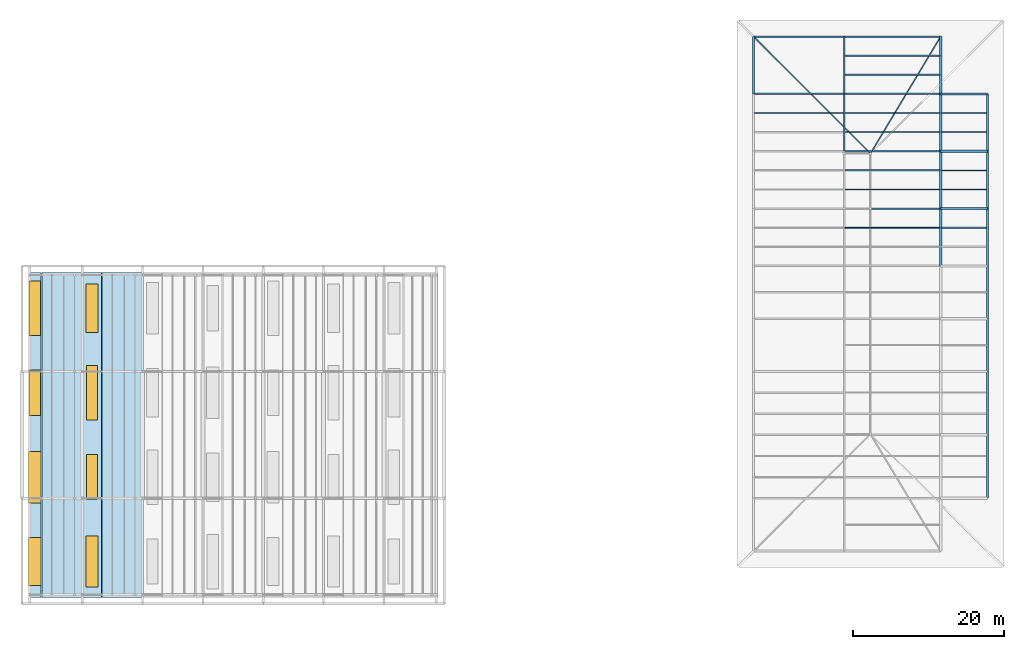
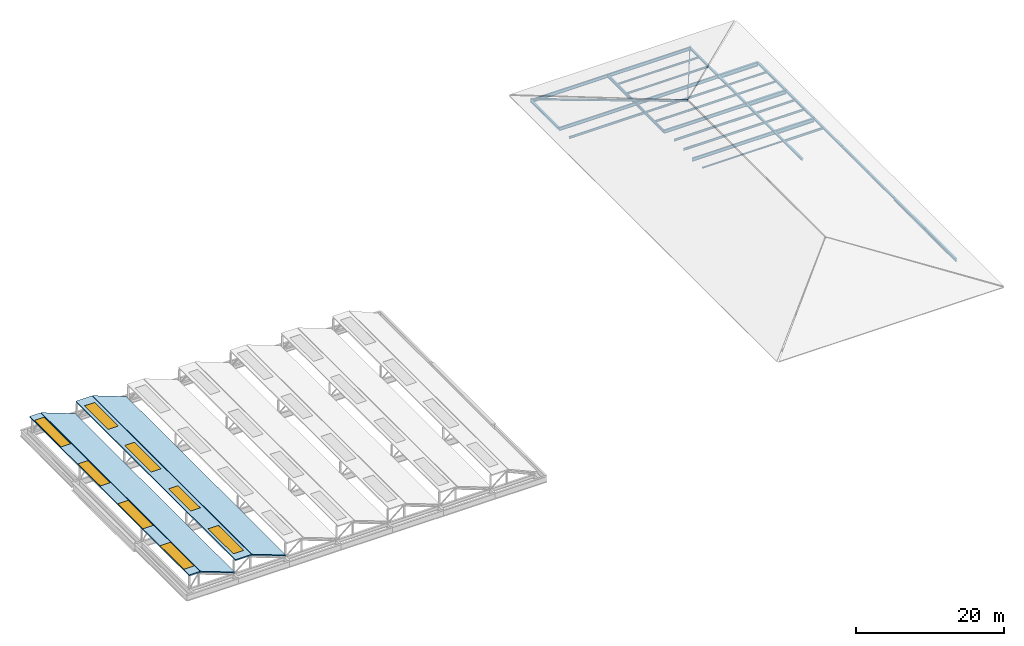
# One storey, part 11 of 14: 36 beams, 8 windows, 4 slabs, 2 members, 8 openings.
"""IFC4 building model written with IfcOpenShell, lengths in metres."""

from ifc_helpers import new_model, si_unit, direction, frame, origin, origin_2d, place, context, subcontext, project, spatial, polyline, rectangle, i_section, outline, extrude, material, layer, layer_set, material_profile, profile_set, type_object, element, fill, save


model = new_model("IFC4")

# Units and contexts
model_context = context("Model", 3, precision=1e-05, world=origin(), true_north=direction((0.0, 1.0)))
body_context = subcontext(model_context, "Body", "Model", "MODEL_VIEW")
ifc_project = project(units=[si_unit("LENGTHUNIT", "METRE"), si_unit("AREAUNIT", "SQUARE_METRE"), si_unit("VOLUMEUNIT", "CUBIC_METRE"), si_unit("PLANEANGLEUNIT", "RADIAN"), si_unit("MASSUNIT", "GRAM", prefix="KILO")], contexts=[model_context])

# Site, building, storey
site_placement = place(None, origin())
site = spatial("IfcSite", under=ifc_project, at=site_placement, CompositionType="ELEMENT")
building_placement = place(site_placement, origin())
building = spatial("IfcBuilding", under=site, at=building_placement, Name="Vekula Escarpment Museum", CompositionType="ELEMENT")
storey_placement = place(building_placement, frame((0.0, 0.0, 30.60009765625)))
storey = spatial("IfcBuildingStorey", under=building, at=storey_placement, Name="RF", CompositionType="ELEMENT", Elevation=30.60009765625)

# Beams
ifc_material_1 = material(Name="Steel S355", Category="steel")
ifc_material_profile_1 = material_profile(ifc_material_1, i_section(OverallWidth=0.300048828125, OverallDepth=0.64990234375, WebThickness=0.01611328125, FlangeThickness=0.031005859375, FilletRadius=0.027099609375, at=origin_2d()), Name="HEB 650")
ifc_profile_set_1 = profile_set([ifc_material_profile_1], Name="Steel S355")
beam_type_1 = type_object("IfcBeamType", Name="BM-GIRD-HEB650", PredefinedType="BEAM", material=ifc_profile_set_1)
for number, where, z_axis, x_axis, name in (
    (1, (191.800048828125, 98.0, -0.525146484375), (1.0, 0.0, 0.0), (0.0, 1.0, 0.0), "Beam X RF 2320"),
    (2, (191.800048828125, 105.60009765625, -0.525146484375), (1.0, 0.0, 0.0), (0.0, 1.0, 0.0), "Beam X RF 2323"),
    (3, (191.800048828125, 113.199951171875, -0.525146484375), (1.0, 0.0, 0.0), (0.0, 1.0, 0.0), "Beam X RF 2326"),
):
    element("IfcBeam", number, at=place(storey_placement, frame(where, z_axis=z_axis, x_axis=x_axis)), inside=storey, type_object=beam_type_1, Name=name, PredefinedType="BEAM", context=body_context, shape_type="SweptSolid", body=[
        extrude(i_section(OverallWidth=0.300048828125, OverallDepth=0.64990234375, WebThickness=0.01611328125, FlangeThickness=0.031005859375, FilletRadius=0.027099609375, at=origin_2d()), origin(), (0.0, 0.0, 1.0), 6.199951171875),
    ])
ifc_material_2 = material(Name="Steel S355", Category="steel")
ifc_material_profile_2 = material_profile(ifc_material_2, i_section(OverallWidth=0.199951171875, OverallDepth=0.5, WebThickness=0.01025390625, FlangeThickness=0.01611328125, FilletRadius=0.02099609375, at=origin_2d()), Name="IPE 500")
ifc_profile_set_2 = profile_set([ifc_material_profile_2], Name="Steel S355")
beam_type_2 = type_object("IfcBeamType", Name="BM-GIRD-IPE500", PredefinedType="BEAM", material=ifc_profile_set_2)
beam_1_placement = place(storey_placement, frame((179.0, 105.60009765625, -0.4501953125), z_axis=(0.0, 1.0, 0.0), x_axis=(-1.0, 0.0, 0.0)))
element("IfcBeam", 4, at=beam_1_placement, inside=storey, type_object=beam_type_2, Name="Beam Y RF 2345", PredefinedType="BEAM", context=body_context, shape_type="SweptSolid", body=[
    extrude(i_section(OverallWidth=0.199951171875, OverallDepth=0.5, WebThickness=0.01025390625, FlangeThickness=0.01611328125, FilletRadius=0.02099609375, at=origin_2d()), origin(), (0.0, 0.0, 1.0), 7.599853515625),
])
beam_2_placement = place(storey_placement, frame((179.0, 113.199951171875, -0.4501953125), z_axis=(0.0, 1.0, 0.0), x_axis=(-1.0, 0.0, 0.0)))
element("IfcBeam", 5, at=beam_2_placement, inside=storey, type_object=beam_type_2, Name="Beam Y RF 2346", PredefinedType="BEAM", context=body_context, shape_type="SweptSolid", body=[
    extrude(i_section(OverallWidth=0.199951171875, OverallDepth=0.5, WebThickness=0.01025390625, FlangeThickness=0.01611328125, FilletRadius=0.02099609375, at=origin_2d()), origin(), (0.0, 0.0, 1.0), 7.60009765625),
])
ifc_material_3 = material(Name="Steel S355", Category="steel")
ifc_material_profile_3 = material_profile(ifc_material_3, i_section(OverallWidth=0.2099609375, OverallDepth=0.550048828125, WebThickness=0.010986328125, FlangeThickness=0.01708984375, FilletRadius=0.02392578125, at=origin_2d()), Name="IPE 550")
ifc_profile_set_3 = profile_set([ifc_material_profile_3], Name="Steel S355")
beam_type_3 = type_object("IfcBeamType", Name="BM-GIRD-IPE550", PredefinedType="BEAM", material=ifc_profile_set_3)
for number, where, z_axis, x_axis, name in (
    (6, (179.0, 98.0, -0.47509765625), (1.0, 0.0, 0.0), (0.0, 1.0, 0.0), "Beam X RF 2319"),
    (7, (179.0, 105.60009765625, -0.47509765625), (1.0, 0.0, 0.0), (0.0, 1.0, 0.0), "Beam X RF 2322"),
):
    element("IfcBeam", number, at=place(storey_placement, frame(where, z_axis=z_axis, x_axis=x_axis)), inside=storey, type_object=beam_type_3, Name=name, PredefinedType="BEAM", context=body_context, shape_type="SweptSolid", body=[
        extrude(i_section(OverallWidth=0.2099609375, OverallDepth=0.550048828125, WebThickness=0.010986328125, FlangeThickness=0.01708984375, FilletRadius=0.02392578125, at=origin_2d()), origin(), (0.0, 0.0, 1.0), 12.800048828125),
    ])
beam_3_placement = place(storey_placement, frame((167.0, 113.199951171875, -0.47509765625), z_axis=(1.0, 0.0, 0.0), x_axis=(0.0, 1.0, 0.0)))
element("IfcBeam", 8, at=beam_3_placement, inside=storey, type_object=beam_type_3, Name="Beam X RF 2324", PredefinedType="BEAM", context=body_context, shape_type="SweptSolid", body=[
    extrude(i_section(OverallWidth=0.2099609375, OverallDepth=0.550048828125, WebThickness=0.010986328125, FlangeThickness=0.01708984375, FilletRadius=0.02392578125, at=origin_2d()), origin(), (0.0, 0.0, 1.0), 12.0),
])
beam_4_placement = place(storey_placement, frame((179.0, 113.199951171875, -0.47509765625), z_axis=(1.0, 0.0, 0.0), x_axis=(0.0, 1.0, 0.0)))
element("IfcBeam", 9, at=beam_4_placement, inside=storey, type_object=beam_type_3, Name="Beam X RF 2325", PredefinedType="BEAM", context=body_context, shape_type="SweptSolid", body=[
    extrude(i_section(OverallWidth=0.2099609375, OverallDepth=0.550048828125, WebThickness=0.010986328125, FlangeThickness=0.01708984375, FilletRadius=0.02392578125, at=origin_2d()), origin(), (0.0, 0.0, 1.0), 12.800048828125),
])
beam_5_placement = place(storey_placement, frame((167.0, 120.800048828125, -0.47509765625), z_axis=(1.0, 0.0, 0.0), x_axis=(0.0, 1.0, 0.0)))
element("IfcBeam", 10, at=beam_5_placement, inside=storey, type_object=beam_type_3, Name="Beam X RF 2327", PredefinedType="BEAM", context=body_context, shape_type="SweptSolid", body=[
    extrude(i_section(OverallWidth=0.2099609375, OverallDepth=0.550048828125, WebThickness=0.010986328125, FlangeThickness=0.01708984375, FilletRadius=0.02392578125, at=origin_2d()), origin(), (0.0, 0.0, 1.0), 12.0),
])
beam_6_placement = place(storey_placement, frame((179.0, 120.800048828125, -0.47509765625), z_axis=(1.0, 0.0, 0.0), x_axis=(0.0, 1.0, 0.0)))
element("IfcBeam", 11, at=beam_6_placement, inside=storey, type_object=beam_type_3, Name="Beam X RF 2328", PredefinedType="BEAM", context=body_context, shape_type="SweptSolid", body=[
    extrude(i_section(OverallWidth=0.2099609375, OverallDepth=0.550048828125, WebThickness=0.010986328125, FlangeThickness=0.01708984375, FilletRadius=0.02392578125, at=origin_2d()), origin(), (0.0, 0.0, 1.0), 12.800048828125),
])
ifc_material_4 = material(Name="Steel S355", Category="steel")
ifc_material_profile_4 = material_profile(ifc_material_4, i_section(OverallWidth=0.1201171875, OverallDepth=0.239990234375, WebThickness=0.006103515625, FlangeThickness=0.009765625, FilletRadius=0.014892578125, at=origin_2d()), Name="IPE 240")
ifc_profile_set_4 = profile_set([ifc_material_profile_4], Name="Steel S355")
beam_type_4 = type_object("IfcBeamType", Name="BM-JST-IPE240", PredefinedType="JOIST", material=ifc_profile_set_4)
beam_7_placement = place(storey_placement, frame((179.090087890625, 95.466796875, -0.320068359375), z_axis=(1.0, 0.0, 0.0), x_axis=(0.0, 1.0, 0.0)))
element("IfcBeam", 12, at=beam_7_placement, inside=storey, type_object=beam_type_4, Name="Secondary Joist RF 1509", PredefinedType="JOIST", context=body_context, shape_type="SweptSolid", body=[
    extrude(i_section(OverallWidth=0.1201171875, OverallDepth=0.239990234375, WebThickness=0.006103515625, FlangeThickness=0.009765625, FilletRadius=0.014892578125, at=origin_2d()), origin(), (0.0, 0.0, 1.0), 12.619873046875),
])
ifc_material_5 = material(Name="Steel S355", Category="steel")
ifc_material_profile_5 = material_profile(ifc_material_5, i_section(OverallWidth=0.14990234375, OverallDepth=0.300048828125, WebThickness=0.007080078125, FlangeThickness=0.0107421875, FilletRadius=0.014892578125, at=origin_2d()), Name="IPE 300")
ifc_profile_set_5 = profile_set([ifc_material_profile_5], Name="Steel S355")
beam_type_5 = type_object("IfcBeamType", Name="BM-JST-IPE300", PredefinedType="JOIST", material=ifc_profile_set_5)
for number, where, z_axis, x_axis, name in (
    (13, (179.090087890625, 115.7333984375, -0.35009765625), (1.0, 0.0, 0.0), (0.0, 1.0, 0.0), "Secondary Joist RF 1514"),
    (14, (179.090087890625, 118.2666015625, -0.35009765625), (1.0, 0.0, 0.0), (0.0, 1.0, 0.0), "Secondary Joist RF 1515"),
):
    element("IfcBeam", number, at=place(storey_placement, frame(where, z_axis=z_axis, x_axis=x_axis)), inside=storey, type_object=beam_type_5, Name=name, PredefinedType="JOIST", context=body_context, shape_type="SweptSolid", body=[
        extrude(i_section(OverallWidth=0.14990234375, OverallDepth=0.300048828125, WebThickness=0.007080078125, FlangeThickness=0.0107421875, FilletRadius=0.014892578125, at=origin_2d()), origin(), (0.0, 0.0, 1.0), 12.619873046875),
    ])
for number, where, z_axis, x_axis, name in (
    (15, (191.889892578125, 108.13330078125, -0.35009765625), (1.0, 0.0, 0.0), (0.0, 1.0, 0.0), "Secondary Joist RF 1526"),
    (16, (191.889892578125, 110.666748046875, -0.35009765625), (1.0, 0.0, 0.0), (0.0, 1.0, 0.0), "Secondary Joist RF 1527"),
):
    element("IfcBeam", number, at=place(storey_placement, frame(where, z_axis=z_axis, x_axis=x_axis)), inside=storey, type_object=beam_type_5, Name=name, PredefinedType="JOIST", context=body_context, shape_type="SweptSolid", body=[
        extrude(i_section(OverallWidth=0.14990234375, OverallDepth=0.300048828125, WebThickness=0.007080078125, FlangeThickness=0.0107421875, FilletRadius=0.014892578125, at=origin_2d()), origin(), (0.0, 0.0, 1.0), 6.02001953125),
    ])
ifc_material_6 = material(Name="Steel S355", Category="steel")
ifc_material_profile_6 = material_profile(ifc_material_6, i_section(OverallWidth=0.159912109375, OverallDepth=0.330078125, WebThickness=0.007568359375, FlangeThickness=0.011474609375, FilletRadius=0.01806640625, at=origin_2d()), Name="IPE 330")
ifc_profile_set_6 = profile_set([ifc_material_profile_6], Name="Steel S355")
beam_type_6 = type_object("IfcBeamType", Name="BM-JST-IPE330", PredefinedType="JOIST", material=ifc_profile_set_6)
for number, where, z_axis, x_axis, name in (
    (17, (179.090087890625, 108.13330078125, -0.364990234375), (1.0, 0.0, 0.0), (0.0, 1.0, 0.0), "Secondary Joist RF 1512"),
    (18, (179.090087890625, 110.666748046875, -0.364990234375), (1.0, 0.0, 0.0), (0.0, 1.0, 0.0), "Secondary Joist RF 1513"),
):
    element("IfcBeam", number, at=place(storey_placement, frame(where, z_axis=z_axis, x_axis=x_axis)), inside=storey, type_object=beam_type_6, Name=name, PredefinedType="JOIST", context=body_context, shape_type="SweptSolid", body=[
        extrude(i_section(OverallWidth=0.159912109375, OverallDepth=0.330078125, WebThickness=0.007568359375, FlangeThickness=0.011474609375, FilletRadius=0.01806640625, at=origin_2d()), origin(), (0.0, 0.0, 1.0), 12.619873046875),
    ])
for number, where, z_axis, x_axis, name in (
    (19, (191.889892578125, 100.533203125, -0.364990234375), (1.0, 0.0, 0.0), (0.0, 1.0, 0.0), "Secondary Joist RF 1524"),
    (20, (191.889892578125, 103.066650390625, -0.364990234375), (1.0, 0.0, 0.0), (0.0, 1.0, 0.0), "Secondary Joist RF 1525"),
):
    element("IfcBeam", number, at=place(storey_placement, frame(where, z_axis=z_axis, x_axis=x_axis)), inside=storey, type_object=beam_type_6, Name=name, PredefinedType="JOIST", context=body_context, shape_type="SweptSolid", body=[
        extrude(i_section(OverallWidth=0.159912109375, OverallDepth=0.330078125, WebThickness=0.007568359375, FlangeThickness=0.011474609375, FilletRadius=0.01806640625, at=origin_2d()), origin(), (0.0, 0.0, 1.0), 6.02001953125),
    ])
ifc_material_7 = material(Name="Steel S355", Category="steel")
ifc_material_profile_7 = material_profile(ifc_material_7, i_section(OverallWidth=0.169921875, OverallDepth=0.360107421875, WebThickness=0.008056640625, FlangeThickness=0.0126953125, FilletRadius=0.01806640625, at=origin_2d()), Name="IPE 360")
ifc_profile_set_7 = profile_set([ifc_material_profile_7], Name="Steel S355")
beam_type_7 = type_object("IfcBeamType", Name="BM-JST-IPE360", PredefinedType="JOIST", material=ifc_profile_set_7)
beam_8_placement = place(storey_placement, frame((167.090087890625, 110.666748046875, -0.380126953125), z_axis=(1.0, 0.0, 0.0), x_axis=(0.0, 1.0, 0.0)))
element("IfcBeam", 21, at=beam_8_placement, inside=storey, type_object=beam_type_7, Name="Secondary Joist RF 1500", PredefinedType="JOIST", context=body_context, shape_type="SweptSolid", body=[
    extrude(i_section(OverallWidth=0.169921875, OverallDepth=0.360107421875, WebThickness=0.008056640625, FlangeThickness=0.0126953125, FilletRadius=0.01806640625, at=origin_2d()), origin(), (0.0, 0.0, 1.0), 11.81982421875),
])
for number, where, z_axis, x_axis, name in (
    (22, (179.090087890625, 100.533203125, -0.380126953125), (1.0, 0.0, 0.0), (0.0, 1.0, 0.0), "Secondary Joist RF 1510"),
    (23, (179.090087890625, 103.066650390625, -0.380126953125), (1.0, 0.0, 0.0), (0.0, 1.0, 0.0), "Secondary Joist RF 1511"),
):
    element("IfcBeam", number, at=place(storey_placement, frame(where, z_axis=z_axis, x_axis=x_axis)), inside=storey, type_object=beam_type_7, Name=name, PredefinedType="JOIST", context=body_context, shape_type="SweptSolid", body=[
        extrude(i_section(OverallWidth=0.169921875, OverallDepth=0.360107421875, WebThickness=0.008056640625, FlangeThickness=0.0126953125, FilletRadius=0.01806640625, at=origin_2d()), origin(), (0.0, 0.0, 1.0), 12.619873046875),
    ])
beam_9_placement = place(storey_placement, frame((191.889892578125, 95.466796875, -0.380126953125), z_axis=(1.0, 0.0, 0.0), x_axis=(0.0, 1.0, 0.0)))
element("IfcBeam", 24, at=beam_9_placement, inside=storey, type_object=beam_type_7, Name="Secondary Joist RF 1523", PredefinedType="JOIST", context=body_context, shape_type="SweptSolid", body=[
    extrude(i_section(OverallWidth=0.169921875, OverallDepth=0.360107421875, WebThickness=0.008056640625, FlangeThickness=0.0126953125, FilletRadius=0.01806640625, at=origin_2d()), origin(), (0.0, 0.0, 1.0), 6.02001953125),
])
ifc_material_8 = material(Name="Steel S355", Category="steel")
ifc_material_profile_8 = material_profile(ifc_material_8, i_section(OverallWidth=0.300048828125, OverallDepth=0.2900390625, WebThickness=0.008544921875, FlangeThickness=0.013916015625, FilletRadius=0.027099609375, at=origin_2d()), Name="HEA 300")
ifc_profile_set_8 = profile_set([ifc_material_profile_8], Name="Steel S355")
beam_type_8 = type_object("IfcBeamType", Name="BM-SPAN-HEA300", PredefinedType="SPANDREL", material=ifc_profile_set_8)
for number, where, z_axis, x_axis, name in (
    (25, (167.0, 113.199951171875, -0.34521484375), (0.0, 1.0, 0.0), (-1.0, 0.0, 0.0), "Beam Y RF 2337"),
    (26, (191.800048828125, 90.39990234375, -0.34521484375), (0.0, 1.0, 0.0), (-1.0, 0.0, 0.0), "Beam Y RF 2352"),
    (27, (191.800048828125, 98.0, -0.34521484375), (0.0, 1.0, 0.0), (-1.0, 0.0, 0.0), "Beam Y RF 2353"),
):
    element("IfcBeam", number, at=place(storey_placement, frame(where, z_axis=z_axis, x_axis=x_axis)), inside=storey, type_object=beam_type_8, Name=name, PredefinedType="SPANDREL", context=body_context, shape_type="SweptSolid", body=[
        extrude(i_section(OverallWidth=0.300048828125, OverallDepth=0.2900390625, WebThickness=0.008544921875, FlangeThickness=0.013916015625, FilletRadius=0.027099609375, at=origin_2d()), origin(), (0.0, 0.0, 1.0), 7.60009765625),
    ])
beam_10_placement = place(storey_placement, frame((191.800048828125, 105.60009765625, -0.34521484375), z_axis=(0.0, 1.0, 0.0), x_axis=(-1.0, 0.0, 0.0)))
element("IfcBeam", 28, at=beam_10_placement, inside=storey, type_object=beam_type_8, Name="Beam Y RF 2354", PredefinedType="SPANDREL", context=body_context, shape_type="SweptSolid", body=[
    extrude(i_section(OverallWidth=0.300048828125, OverallDepth=0.2900390625, WebThickness=0.008544921875, FlangeThickness=0.013916015625, FilletRadius=0.027099609375, at=origin_2d()), origin(), (0.0, 0.0, 1.0), 7.599853515625),
])
beam_11_placement = place(storey_placement, frame((191.800048828125, 113.199951171875, -0.34521484375), z_axis=(0.0, 1.0, 0.0), x_axis=(-1.0, 0.0, 0.0)))
element("IfcBeam", 29, at=beam_11_placement, inside=storey, type_object=beam_type_8, Name="Beam Y RF 2355", PredefinedType="SPANDREL", context=body_context, shape_type="SweptSolid", body=[
    extrude(i_section(OverallWidth=0.300048828125, OverallDepth=0.2900390625, WebThickness=0.008544921875, FlangeThickness=0.013916015625, FilletRadius=0.027099609375, at=origin_2d()), origin(), (0.0, 0.0, 1.0), 7.60009765625),
])
for number, where, z_axis, x_axis, name in (
    (30, (198.0, 76.39990234375, -0.34521484375), (0.0, 1.0, 0.0), (-1.0, 0.0, 0.0), "Beam Y RF 2358"),
    (31, (198.0, 83.39990234375, -0.34521484375), (0.0, 1.0, 0.0), (-1.0, 0.0, 0.0), "Beam Y RF 2359"),
):
    element("IfcBeam", number, at=place(storey_placement, frame(where, z_axis=z_axis, x_axis=x_axis)), inside=storey, type_object=beam_type_8, Name=name, PredefinedType="SPANDREL", context=body_context, shape_type="SweptSolid", body=[
        extrude(i_section(OverallWidth=0.300048828125, OverallDepth=0.2900390625, WebThickness=0.008544921875, FlangeThickness=0.013916015625, FilletRadius=0.027099609375, at=origin_2d()), origin(), (0.0, 0.0, 1.0), 7.0),
    ])
for number, where, z_axis, x_axis, name in (
    (32, (198.0, 90.39990234375, -0.34521484375), (0.0, 1.0, 0.0), (-1.0, 0.0, 0.0), "Beam Y RF 2360"),
    (33, (198.0, 98.0, -0.34521484375), (0.0, 1.0, 0.0), (-1.0, 0.0, 0.0), "Beam Y RF 2361"),
):
    element("IfcBeam", number, at=place(storey_placement, frame(where, z_axis=z_axis, x_axis=x_axis)), inside=storey, type_object=beam_type_8, Name=name, PredefinedType="SPANDREL", context=body_context, shape_type="SweptSolid", body=[
        extrude(i_section(OverallWidth=0.300048828125, OverallDepth=0.2900390625, WebThickness=0.008544921875, FlangeThickness=0.013916015625, FilletRadius=0.027099609375, at=origin_2d()), origin(), (0.0, 0.0, 1.0), 7.60009765625),
    ])
beam_12_placement = place(storey_placement, frame((198.0, 105.60009765625, -0.34521484375), z_axis=(0.0, 1.0, 0.0), x_axis=(-1.0, 0.0, 0.0)))
element("IfcBeam", 34, at=beam_12_placement, inside=storey, type_object=beam_type_8, Name="Beam Y RF 2362", PredefinedType="SPANDREL", context=body_context, shape_type="SweptSolid", body=[
    extrude(i_section(OverallWidth=0.300048828125, OverallDepth=0.2900390625, WebThickness=0.008544921875, FlangeThickness=0.013916015625, FilletRadius=0.027099609375, at=origin_2d()), origin(), (0.0, 0.0, 1.0), 7.599853515625),
])
ifc_material_9 = material(Name="Steel S355", Category="steel")
ifc_material_profile_9 = material_profile(ifc_material_9, i_section(OverallWidth=0.300048828125, OverallDepth=0.43994140625, WebThickness=0.011474609375, FlangeThickness=0.02099609375, FilletRadius=0.027099609375, at=origin_2d()), Name="HEA 450")
ifc_profile_set_9 = profile_set([ifc_material_profile_9], Name="Steel S355")
beam_type_9 = type_object("IfcBeamType", Name="BM-SPAN-HEA450", PredefinedType="SPANDREL", material=ifc_profile_set_9)
for number, where, z_axis, x_axis, name in (
    (35, (198.0, 59.60009765625, -0.420166015625), (0.0, 1.0, 0.0), (-1.0, 0.0, 0.0), "Beam Y RF 2356"),
    (36, (198.0, 68.0, -0.420166015625), (0.0, 1.0, 0.0), (-1.0, 0.0, 0.0), "Beam Y RF 2357"),
):
    element("IfcBeam", number, at=place(storey_placement, frame(where, z_axis=z_axis, x_axis=x_axis)), inside=storey, type_object=beam_type_9, Name=name, PredefinedType="SPANDREL", context=body_context, shape_type="SweptSolid", body=[
        extrude(i_section(OverallWidth=0.300048828125, OverallDepth=0.43994140625, WebThickness=0.011474609375, FlangeThickness=0.02099609375, FilletRadius=0.027099609375, at=origin_2d()), origin(), (0.0, 0.0, 1.0), 8.39990234375),
    ])

# Members
ifc_material_10 = material(Name="Steel S355", Category="steel")
ifc_material_profile_10 = material_profile(ifc_material_10, i_section(OverallWidth=0.14990234375, OverallDepth=0.300048828125, WebThickness=0.007080078125, FlangeThickness=0.0107421875, FilletRadius=0.014892578125, at=origin_2d()), Name="IPE 300")
ifc_profile_set_10 = profile_set([ifc_material_profile_10], Name="Steel S355")
member_type = type_object("IfcMemberType", Name="MB-HIP-RAFTER", PredefinedType="CHORD", material=ifc_profile_set_10)
member_1_placement = place(storey_placement, frame((167.0, 120.800048828125, -0.150146484375), z_axis=(0.697191834169, -0.697191834169, 0.166874481981), x_axis=(0.707106781187, 0.707106781187, 0.0)))
element("IfcMember", 37, at=member_1_placement, inside=storey, type_object=member_type, Name="Cumba Hip Rafter 3", PredefinedType="CHORD", context=body_context, shape_type="SweptSolid", body=[
    extrude(i_section(OverallWidth=0.14990234375, OverallDepth=0.300048828125, WebThickness=0.007080078125, FlangeThickness=0.0107421875, FilletRadius=0.014892578125, at=origin_2d()), origin(), (0.0, 0.0, 1.0), 22.23193359375),
])
member_2_placement = place(storey_placement, frame((191.800048828125, 120.800048828125, -0.150146484375), z_axis=(-0.503992021776, -0.839982292771, 0.201051709314), x_axis=(0.857491733973, -0.514497741655, 0.0)))
element("IfcMember", 38, at=member_2_placement, inside=storey, type_object=member_type, Name="Cumba Hip Rafter 4", PredefinedType="CHORD", context=body_context, shape_type="SweptSolid", body=[
    extrude(i_section(OverallWidth=0.14990234375, OverallDepth=0.300048828125, WebThickness=0.007080078125, FlangeThickness=0.0107421875, FilletRadius=0.014892578125, at=origin_2d()), origin(), (0.0, 0.0, 1.0), 18.452880859375),
])

# Slabs
ifc_material_11 = material(Name="Concrete C35/45", Category="concrete")
ifc_layer_1 = layer(ifc_material_11, 0.179931640625)
ifc_layer_set_1 = layer_set([ifc_layer_1], Name="Concrete C35/45")
slab_type_1 = type_object("IfcSlabType", Name="SL-ROOF-180", PredefinedType="ROOF", material=ifc_layer_set_1)
for number, where, z_axis, x_axis, name in (
    (39, (72.639892578125, 46.449951171875, 0.199951171875), (0.353054405234, 0.0, 0.935602793361), (0.935602793361, 0.0, -0.353054405234), "Sawtooth North-Light Roof Slab 01"),
    (40, (80.639892578125, 46.449951171875, 0.199951171875), (0.353054405234, 0.0, 0.935602793361), (0.935602793361, 0.0, -0.353054405234), "Sawtooth North-Light Roof Slab 02"),
):
    element("IfcSlab", number, at=place(storey_placement, frame(where, z_axis=z_axis, x_axis=x_axis)), inside=storey, type_object=slab_type_1, Name=name, PredefinedType="ROOF", context=body_context, shape_type="SweptSolid", body=[
        extrude(outline(polyline([(0.0, 0.0), (5.664849299011332, 0.0), (5.664849299011332, 43.10009765625), (0.0, 43.10009765625), (0.0, 0.0)])), origin(), (0.0, 0.0, -1.0), 0.179931640625),
    ])

# Slab, openings, windows
ifc_material_12 = material(Name="Concrete C35/45", Category="concrete")
ifc_layer_2 = layer(ifc_material_12, 0.199951171875)
ifc_layer_set_2 = layer_set([ifc_layer_2], Name="Concrete C35/45")
slab_type_2 = type_object("IfcSlabType", Name="SL-ROOF-200", PredefinedType="ROOF", material=ifc_layer_set_2)
slab_1_placement = place(storey_placement, origin())
slab_1 = element("IfcSlab", 41, at=slab_1_placement, inside=storey, type_object=slab_type_2, Name="Sawtooth Monitor Crown Strip 01", PredefinedType="ROOF", context=body_context, shape_type="SweptSolid", body=[
    extrude(outline(polyline([(70.860107421875, 46.449951171875), (72.550048828125, 46.449951171875), (72.550048828125, 89.550048828125), (70.860107421875, 89.550048828125), (70.860107421875, 46.449951171875)])), origin(), (0.0, 0.0, 1.0), 0.199951171875),
])
opening_1_placement = place(slab_1_placement, frame((71.705078125, 51.199951171875, -0.010009765625)))
opening_1 = element("IfcOpeningElement", 42, at=opening_1_placement, cuts=slab_1, Name="Opening RL-01", PredefinedType="OPENING", context=body_context, shape_type="SweptSolid", body=[
    extrude(rectangle(XDim=1.60009765625, YDim=6.39990234375, at=origin_2d()), origin(), (0.0, 0.0, 1.0), 0.219970703125),
])
opening_2_placement = place(slab_1_placement, frame((71.705078125, 62.39990234375, -0.010009765625)))
opening_2 = element("IfcOpeningElement", 43, at=opening_2_placement, cuts=slab_1, Name="Opening RL-02", PredefinedType="OPENING", context=body_context, shape_type="SweptSolid", body=[
    extrude(rectangle(XDim=1.60009765625, YDim=6.800048828125, at=origin_2d()), origin(), (0.0, 0.0, 1.0), 0.219970703125),
])
opening_3_placement = place(slab_1_placement, frame((71.705078125, 73.60009765625, -0.010009765625)))
opening_3 = element("IfcOpeningElement", 44, at=opening_3_placement, cuts=slab_1, Name="Opening RL-03", PredefinedType="OPENING", context=body_context, shape_type="SweptSolid", body=[
    extrude(rectangle(XDim=1.5, YDim=6.0, at=origin_2d()), origin(), (0.0, 0.0, 1.0), 0.219970703125),
])
opening_4_placement = place(slab_1_placement, frame((71.705078125, 84.800048828125, -0.010009765625)))
opening_4 = element("IfcOpeningElement", 45, at=opening_4_placement, cuts=slab_1, Name="Opening RL-04", PredefinedType="OPENING", context=body_context, shape_type="SweptSolid", body=[
    extrude(rectangle(XDim=1.5, YDim=7.199951171875, at=origin_2d()), origin(), (0.0, 0.0, 1.0), 0.219970703125),
])
ifc_material_13 = material(Name="Double solar-control low-E glass", Category="glass")
window_type_1 = type_object("IfcWindowType", Name="SK-SAW-15x60", PartitioningType="SINGLE_PANEL", PredefinedType="SKYLIGHT", material=ifc_material_13)
window_1_placement = place(opening_3_placement, frame((0.0, 0.0, 0.14990234375)))
window_1 = element("IfcWindow", 46, at=window_1_placement, inside=storey, type_object=window_type_1, Name="Sawtooth Rooflight RL-03", OverallHeight=6.0, OverallWidth=1.5, PartitioningType="SINGLE_PANEL", PredefinedType="SKYLIGHT", context=body_context, shape_type="SweptSolid", body=[
    extrude(rectangle(XDim=1.5, YDim=6.0, at=origin_2d()), origin(), (0.0, 0.0, 1.0), 0.050048828125),
])
fill(opening_3, window_1)
ifc_material_14 = material(Name="Double solar-control low-E glass", Category="glass")
window_type_2 = type_object("IfcWindowType", Name="SK-SAW-15x72", PartitioningType="SINGLE_PANEL", PredefinedType="SKYLIGHT", material=ifc_material_14)
window_2_placement = place(opening_4_placement, frame((0.0, 0.0, 0.14990234375)))
window_2 = element("IfcWindow", 47, at=window_2_placement, inside=storey, type_object=window_type_2, Name="Sawtooth Rooflight RL-04", OverallHeight=7.199951171875, OverallWidth=1.5, PartitioningType="SINGLE_PANEL", PredefinedType="SKYLIGHT", context=body_context, shape_type="SweptSolid", body=[
    extrude(rectangle(XDim=1.5, YDim=7.199951171875, at=origin_2d()), origin(), (0.0, 0.0, 1.0), 0.050048828125),
])
fill(opening_4, window_2)
ifc_material_15 = material(Name="Double solar-control low-E glass", Category="glass")
window_type_3 = type_object("IfcWindowType", Name="SK-SAW-16x64", PartitioningType="SINGLE_PANEL", PredefinedType="SKYLIGHT", material=ifc_material_15)
window_3_placement = place(opening_1_placement, frame((0.0, 0.0, 0.14990234375)))
window_3 = element("IfcWindow", 48, at=window_3_placement, inside=storey, type_object=window_type_3, Name="Sawtooth Rooflight RL-01", OverallHeight=6.39990234375, OverallWidth=1.60009765625, PartitioningType="SINGLE_PANEL", PredefinedType="SKYLIGHT", context=body_context, shape_type="SweptSolid", body=[
    extrude(rectangle(XDim=1.60009765625, YDim=6.39990234375, at=origin_2d()), origin(), (0.0, 0.0, 1.0), 0.050048828125),
])
fill(opening_1, window_3)
ifc_material_16 = material(Name="Double solar-control low-E glass", Category="glass")
window_type_4 = type_object("IfcWindowType", Name="SK-SAW-16x68", PartitioningType="SINGLE_PANEL", PredefinedType="SKYLIGHT", material=ifc_material_16)
window_4_placement = place(opening_2_placement, frame((0.0, 0.0, 0.14990234375)))
window_4 = element("IfcWindow", 49, at=window_4_placement, inside=storey, type_object=window_type_4, Name="Sawtooth Rooflight RL-02", OverallHeight=6.800048828125, OverallWidth=1.60009765625, PartitioningType="SINGLE_PANEL", PredefinedType="SKYLIGHT", context=body_context, shape_type="SweptSolid", body=[
    extrude(rectangle(XDim=1.60009765625, YDim=6.800048828125, at=origin_2d()), origin(), (0.0, 0.0, 1.0), 0.050048828125),
])
fill(opening_2, window_4)

slab_2_placement = place(storey_placement, origin())
slab_2 = element("IfcSlab", 50, at=slab_2_placement, inside=storey, type_object=slab_type_2, Name="Sawtooth Monitor Crown Strip 02", PredefinedType="ROOF", context=body_context, shape_type="SweptSolid", body=[
    extrude(outline(polyline([(78.06005859375, 46.449951171875), (80.550048828125, 46.449951171875), (80.550048828125, 89.550048828125), (78.06005859375, 89.550048828125), (78.06005859375, 46.449951171875)])), origin(), (0.0, 0.0, 1.0), 0.199951171875),
])
opening_5_placement = place(slab_2_placement, frame((79.304931640625, 51.199951171875, -0.010009765625)))
opening_5 = element("IfcOpeningElement", 51, at=opening_5_placement, cuts=slab_2, Name="Opening RL-02", PredefinedType="OPENING", context=body_context, shape_type="SweptSolid", body=[
    extrude(rectangle(XDim=1.60009765625, YDim=6.800048828125, at=origin_2d()), origin(), (0.0, 0.0, 1.0), 0.219970703125),
])
opening_6_placement = place(slab_2_placement, frame((79.304931640625, 62.39990234375, -0.010009765625)))
opening_6 = element("IfcOpeningElement", 52, at=opening_6_placement, cuts=slab_2, Name="Opening RL-03", PredefinedType="OPENING", context=body_context, shape_type="SweptSolid", body=[
    extrude(rectangle(XDim=1.5, YDim=6.0, at=origin_2d()), origin(), (0.0, 0.0, 1.0), 0.219970703125),
])
opening_7_placement = place(slab_2_placement, frame((79.304931640625, 73.60009765625, -0.010009765625)))
opening_7 = element("IfcOpeningElement", 53, at=opening_7_placement, cuts=slab_2, Name="Opening RL-04", PredefinedType="OPENING", context=body_context, shape_type="SweptSolid", body=[
    extrude(rectangle(XDim=1.5, YDim=7.199951171875, at=origin_2d()), origin(), (0.0, 0.0, 1.0), 0.219970703125),
])
opening_8_placement = place(slab_2_placement, frame((79.304931640625, 84.800048828125, -0.010009765625)))
opening_8 = element("IfcOpeningElement", 54, at=opening_8_placement, cuts=slab_2, Name="Opening RL-01", PredefinedType="OPENING", context=body_context, shape_type="SweptSolid", body=[
    extrude(rectangle(XDim=1.60009765625, YDim=6.39990234375, at=origin_2d()), origin(), (0.0, 0.0, 1.0), 0.219970703125),
])
window_5_placement = place(opening_6_placement, frame((0.0, 0.0, 0.14990234375)))
window_5 = element("IfcWindow", 55, at=window_5_placement, inside=storey, type_object=window_type_1, Name="Sawtooth Rooflight RL-06", OverallHeight=6.0, OverallWidth=1.5, PartitioningType="SINGLE_PANEL", PredefinedType="SKYLIGHT", context=body_context, shape_type="SweptSolid", body=[
    extrude(rectangle(XDim=1.5, YDim=6.0, at=origin_2d()), origin(), (0.0, 0.0, 1.0), 0.050048828125),
])
fill(opening_6, window_5)
window_6_placement = place(opening_7_placement, frame((0.0, 0.0, 0.14990234375)))
window_6 = element("IfcWindow", 56, at=window_6_placement, inside=storey, type_object=window_type_2, Name="Sawtooth Rooflight RL-07", OverallHeight=7.199951171875, OverallWidth=1.5, PartitioningType="SINGLE_PANEL", PredefinedType="SKYLIGHT", context=body_context, shape_type="SweptSolid", body=[
    extrude(rectangle(XDim=1.5, YDim=7.199951171875, at=origin_2d()), origin(), (0.0, 0.0, 1.0), 0.050048828125),
])
fill(opening_7, window_6)
window_7_placement = place(opening_8_placement, frame((0.0, 0.0, 0.14990234375)))
window_7 = element("IfcWindow", 57, at=window_7_placement, inside=storey, type_object=window_type_3, Name="Sawtooth Rooflight RL-08", OverallHeight=6.39990234375, OverallWidth=1.60009765625, PartitioningType="SINGLE_PANEL", PredefinedType="SKYLIGHT", context=body_context, shape_type="SweptSolid", body=[
    extrude(rectangle(XDim=1.60009765625, YDim=6.39990234375, at=origin_2d()), origin(), (0.0, 0.0, 1.0), 0.050048828125),
])
fill(opening_8, window_7)
window_8_placement = place(opening_5_placement, frame((0.0, 0.0, 0.14990234375)))
window_8 = element("IfcWindow", 58, at=window_8_placement, inside=storey, type_object=window_type_4, Name="Sawtooth Rooflight RL-05", OverallHeight=6.800048828125, OverallWidth=1.60009765625, PartitioningType="SINGLE_PANEL", PredefinedType="SKYLIGHT", context=body_context, shape_type="SweptSolid", body=[
    extrude(rectangle(XDim=1.60009765625, YDim=6.800048828125, at=origin_2d()), origin(), (0.0, 0.0, 1.0), 0.050048828125),
])
fill(opening_5, window_8)

save(model, "model.ifc")
